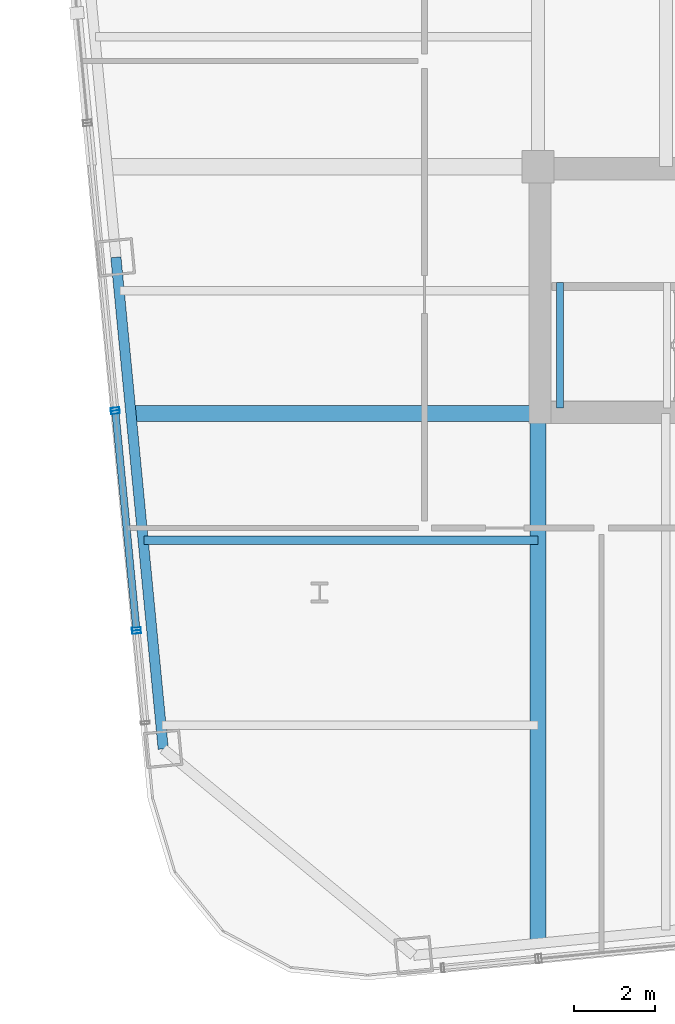
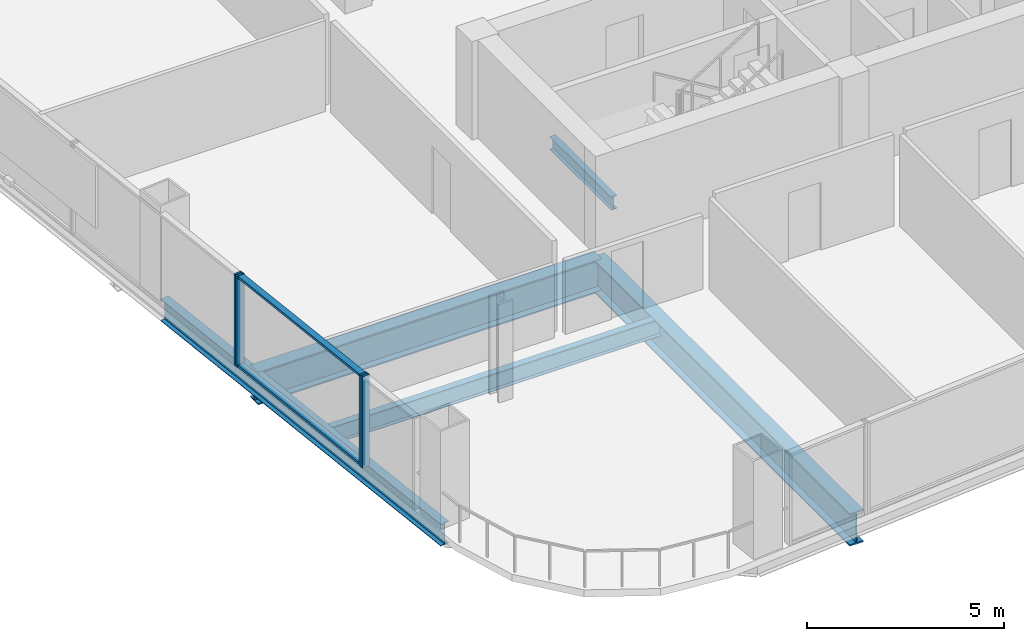
# One storey, part 3 of 27: 6 members, 5 beams, 3 elements without a shape of their own.
"""IFC4 building model written with IfcOpenShell, lengths in metres."""

import ifcopenshell
import ifcopenshell.guid

model = None  # the IFC model being written
_history = None  # IfcOwnerHistory: only IFC2X3 demands one
_inside = {}  # id of a spatial element -> (the spatial element, [elements in it])
_under = {}  # id of a project, library or spatial element -> (it, [spatial elements below it])
_declared = {}  # id of a project -> (the project, [libraries it declares])
_typed = {}  # id of a type object -> (the type object, [elements of that type])
_made_of = {}  # id of a material, layer set ... -> (it, [elements and type objects made of it])


def new_model(schema):
    """Start an empty IFC model of exactly this schema.

    Asked for "IFC4X3", IfcOpenShell would pick the latest addendum, in which some entities
    have other attributes; the version numbers below select the first issue.
    IFC2X3 requires an IfcOwnerHistory on every rooted entity: one is made here for all.
    """
    global model, _history
    if schema == "IFC4X3":
        model = ifcopenshell.file(schema_version=(4, 3, 0, 0))
    else:
        model = ifcopenshell.file(schema=schema)
    _inside.clear()
    _under.clear()
    _declared.clear()
    _typed.clear()
    _made_of.clear()
    _history = None
    if model.schema == "IFC2X3":
        org = make("IfcOrganization", Name="unknown")
        user = make(
            "IfcPersonAndOrganization",
            ThePerson=make("IfcPerson", FamilyName="unknown"),
            TheOrganization=org,
        )
        app = make(
            "IfcApplication",
            ApplicationDeveloper=org,
            Version="unknown",
            ApplicationFullName="unknown",
            ApplicationIdentifier="unknown",
        )
        _history = make(
            "IfcOwnerHistory",
            OwningUser=user,
            OwningApplication=app,
            ChangeAction="ADDED",
            CreationDate=0,
        )
    return model


def make(cls, **values):
    """One entity of the class cls with the attributes given. An attribute that is None is left unset."""
    return model.create_entity(
        cls, **{name: value for name, value in values.items() if value is not None}
    )


def rooted(cls, **values):
    """An entity with a GlobalId (a new one), such as an element, a storey or a relation."""
    return make(cls, GlobalId=ifcopenshell.guid.new(), OwnerHistory=_history, **values)


def si_unit(unit_type, name, prefix=None):
    """IfcSIUnit, for example si_unit("LENGTHUNIT", "METRE", prefix="MILLI")."""
    return make("IfcSIUnit", UnitType=unit_type, Prefix=prefix, Name=name)


def assignment(units):
    """IfcUnitAssignment: the units of a project."""
    return None if units is None else make("IfcUnitAssignment", Units=units)


def point(xyz):
    """IfcCartesianPoint."""
    return None if xyz is None else make("IfcCartesianPoint", Coordinates=xyz)


def direction(xyz):
    """IfcDirection."""
    return None if xyz is None else make("IfcDirection", DirectionRatios=xyz)


def frame(location, z_axis=None, x_axis=None):
    """IfcAxis2Placement3D, a coordinate frame: its origin and axes. An axis left out is left unset."""
    return make(
        "IfcAxis2Placement3D",
        Location=point(location),
        Axis=direction(z_axis),
        RefDirection=direction(x_axis),
    )


def frame_2d(location, x_axis=None):
    """IfcAxis2Placement2D, a coordinate frame in the plane: its origin and x axis."""
    return make(
        "IfcAxis2Placement2D", Location=point(location), RefDirection=direction(x_axis)
    )


def origin():
    """The frame at (0, 0, 0) with its axes left unset."""
    return frame((0.0, 0.0, 0.0))


def origin_2d():
    """The frame at (0, 0) in the plane with its x axis left unset."""
    return frame_2d((0.0, 0.0))


def place(relative_to, where):
    """IfcLocalPlacement: puts the frame where relative to a parent placement (None: the world)."""
    return make(
        "IfcLocalPlacement", PlacementRelTo=relative_to, RelativePlacement=where
    )


def context(
    kind, dimensions, precision=None, world=None, true_north=None, identifier=None
):
    """IfcGeometricRepresentationContext, for example the 3D "Model" context."""
    return make(
        "IfcGeometricRepresentationContext",
        ContextIdentifier=identifier,
        ContextType=kind,
        CoordinateSpaceDimension=dimensions,
        Precision=precision,
        WorldCoordinateSystem=world,
        TrueNorth=true_north,
    )


def subcontext(parent, identifier, kind, view, scale=None):
    """IfcGeometricRepresentationSubContext, for example "Body" below "Model"."""
    return make(
        "IfcGeometricRepresentationSubContext",
        ContextIdentifier=identifier,
        ContextType=kind,
        ParentContext=parent,
        TargetScale=scale,
        TargetView=view,
    )


def project(units=None, contexts=None):
    """IfcProject with its units and contexts."""
    return rooted(
        "IfcProject",
        Name="project",
        RepresentationContexts=contexts,
        UnitsInContext=assignment(units),
    )


def spatial(cls, under=None, at=None, **own):
    """A site, building, storey or space (cls), placed at a placement, below another one or the project."""
    s = rooted(cls, ObjectPlacement=at, **own)
    if under is not None:
        _under.setdefault(under.id(), (under, []))[1].append(s)
    return s


def profile(cls, at=None, kind="AREA", **sizes):
    """A parametric profile (cls). Its sizes go by their IFC names, for example OverallWidth=200.0."""
    return make(cls, ProfileType=kind, Position=at, **sizes)


def hollow_rectangle(**sizes):
    """IfcRectangleHollowProfileDef."""
    return profile("IfcRectangleHollowProfileDef", **sizes)


def i_section(**sizes):
    """IfcIShapeProfileDef."""
    return profile("IfcIShapeProfileDef", **sizes)


def extrude(swept, where, along, depth):
    """IfcExtrudedAreaSolid: the profile swept, set in the frame where, extruded along a direction by depth."""
    return make(
        "IfcExtrudedAreaSolid",
        SweptArea=swept,
        Position=where,
        ExtrudedDirection=direction(along),
        Depth=depth,
    )


def shape(context_of_items, identifier, shape_type, items):
    """IfcShapeRepresentation: the items that make up one representation, for example the "Body"."""
    return make(
        "IfcShapeRepresentation",
        ContextOfItems=context_of_items,
        RepresentationIdentifier=identifier,
        RepresentationType=shape_type,
        Items=items,
    )


def material(Name=None, Category=None):
    """IfcMaterial."""
    return make("IfcMaterial", Name=Name, Category=Category)


def layer(
    of_material, thickness, ventilated=None, Name=None, Category=None, Priority=None
):
    """IfcMaterialLayer: one layer of a wall or slab, of a material (None: an air gap)."""
    return make(
        "IfcMaterialLayer",
        Material=of_material,
        LayerThickness=thickness,
        IsVentilated=ventilated,
        Name=Name,
        Category=Category,
        Priority=Priority,
    )


def layer_set(layers, Name=None):
    """IfcMaterialLayerSet."""
    return make("IfcMaterialLayerSet", MaterialLayers=layers, LayerSetName=Name)


def material_profile(
    of_material, cross_section, Name=None, Category=None, Priority=None
):
    """IfcMaterialProfile: a cross section and its material."""
    return make(
        "IfcMaterialProfile",
        Name=Name,
        Material=of_material,
        Profile=cross_section,
        Priority=Priority,
        Category=Category,
    )


def profile_set(profiles, Name=None, composite=None):
    """IfcMaterialProfileSet."""
    return make(
        "IfcMaterialProfileSet",
        Name=Name,
        MaterialProfiles=profiles,
        CompositeProfile=composite,
    )


def made_of(thing, what):
    """Note that an element or type object is made of a material, layer set ...; save() writes the relation."""
    if what is not None:
        _made_of.setdefault(what.id(), (what, []))[1].append(thing)
    return thing


def type_object(cls, material=None, **own):
    """A type object (cls), such as IfcWallType, which elements share."""
    return made_of(rooted(cls, **own), material)


def element(
    cls,
    number,
    at=None,
    inside=None,
    cuts=None,
    type_object=None,
    material=None,
    context=None,
    identifier="Body",
    shape_type=None,
    held_by="IfcProductDefinitionShape",
    body=None,
    shapes=None,
    **own,
):
    """One element of the class cls, such as IfcWall. Its Tag is "e" and its number.

    at: its placement. inside: the storey or other place that contains it. cuts: it is an
    opening in that element (IfcRelVoidsElement). A single representation is given by context,
    identifier, shape_type and body (its items); several are given by shapes. held_by: the class
    of the entity that holds the representations. save() writes the other relations.
    """
    e = rooted(cls, Tag="e%d" % number, ObjectPlacement=at, **own)
    if body is not None:
        shapes = [shape(context, identifier, shape_type, body)]
    if shapes is not None:
        e.Representation = make(held_by, Representations=shapes)
    if inside is not None:
        _inside.setdefault(inside.id(), (inside, []))[1].append(e)
    if cuts is not None:
        rooted(
            "IfcRelVoidsElement", RelatingBuildingElement=cuts, RelatedOpeningElement=e
        )
    if type_object is not None:
        _typed.setdefault(type_object.id(), (type_object, []))[1].append(e)
    return made_of(e, material)


def aggregate(whole, parts):
    """IfcRelAggregates: a whole, such as a stair, and the parts it consists of."""
    return rooted("IfcRelAggregates", RelatingObject=whole, RelatedObjects=parts)


def save(model, path):
    """Write the relations noted so far, then the file.

    IfcRelAggregates (storeys below a building ...), IfcRelContainedInSpatialStructure (elements
    in a storey), IfcRelDefinesByType, IfcRelAssociatesMaterial and IfcRelDeclares: one each for
    every whole, place, type object, material and project.
    """
    for whole, parts in _under.values():
        aggregate(whole, parts)
    for where, things in _inside.values():
        rooted(
            "IfcRelContainedInSpatialStructure",
            RelatedElements=things,
            RelatingStructure=where,
        )
    for kind, things in _typed.values():
        rooted("IfcRelDefinesByType", RelatedObjects=things, RelatingType=kind)
    for what, things in _made_of.values():
        rooted("IfcRelAssociatesMaterial", RelatedObjects=things, RelatingMaterial=what)
    for by, libraries in _declared.values():
        rooted("IfcRelDeclares", RelatingContext=by, RelatedDefinitions=libraries)
    model.write(path)


model = new_model("IFC4")

# Units and contexts
model_context = context("Model", 3, precision=1e-05, world=origin(), true_north=direction((0.0, 1.0)))
body_context = subcontext(model_context, "Body", "Model", "MODEL_VIEW")
ifc_project = project(units=[si_unit("LENGTHUNIT", "METRE"), si_unit("AREAUNIT", "SQUARE_METRE"), si_unit("VOLUMEUNIT", "CUBIC_METRE"), si_unit("PLANEANGLEUNIT", "RADIAN"), si_unit("MASSUNIT", "GRAM", prefix="KILO")], contexts=[model_context])

# Site, building, storey
site_placement = place(None, origin())
site = spatial("IfcSite", under=ifc_project, at=site_placement, CompositionType="ELEMENT")
building_placement = place(site_placement, origin())
building = spatial("IfcBuilding", under=site, at=building_placement, Name="Qhalaya Broadcast Tower", CompositionType="ELEMENT")
storey_placement = place(building_placement, frame((0.0, 0.0, 84.699951171875)))
storey = spatial("IfcBuildingStorey", under=building, at=storey_placement, Name="L24", CompositionType="ELEMENT", Elevation=84.699951171875)

# Beams
ifc_material_1 = material(Name="Structural Steel ASTM A992 Grade 50", Category="steel")
ifc_material_profile_1 = material_profile(ifc_material_1, i_section(OverallWidth=0.2099609375, OverallDepth=0.535888671875, WebThickness=0.010986328125, FlangeThickness=0.017333984375, at=origin_2d()), Name="W21X68")
ifc_profile_set_1 = profile_set([ifc_material_profile_1], Name="Structural Steel ASTM A992 Grade 50")
beam_type_1 = type_object("IfcBeamType", Name="Composite Floor Joist J02", PredefinedType="JOIST", material=ifc_profile_set_1)
beam_1_placement = place(storey_placement, frame((-19.164794921875, -11.89990234375, -0.488037109375), z_axis=(1.0, 0.0, 0.0), x_axis=(0.0, 1.0, 0.0)))
element("IfcBeam", 1, at=beam_1_placement, inside=storey, type_object=beam_type_1, Name="L24 J02 L24-JWE2W-1", PredefinedType="JOIST", context=body_context, shape_type="SweptSolid", body=[
    extrude(i_section(OverallWidth=0.2099609375, OverallDepth=0.535888671875, WebThickness=0.010986328125, FlangeThickness=0.017333984375, at=origin_2d()), origin(), (0.0, 0.0, 1.0), 9.789794921875),
])
ifc_material_profile_2 = material_profile(ifc_material_1, i_section(OverallWidth=0.40087890625, OverallDepth=1.010986328125, WebThickness=0.023681640625, FlangeThickness=0.0419921875, at=origin_2d()), Name="W40X297")
ifc_profile_set_2 = profile_set([ifc_material_profile_2], Name="Structural Steel ASTM A992 Grade 50")
beam_type_2 = type_object("IfcBeamType", Name="Lower Block Primary Girder PG2", PredefinedType="USERDEFINED", material=ifc_profile_set_2)
beam_2_placement = place(storey_placement, frame((-9.375, -21.89501953125, -0.725341796875), z_axis=(0.0, 1.0, 0.0), x_axis=(-1.0, 0.0, 0.0)))
element("IfcBeam", 2, at=beam_2_placement, inside=storey, type_object=beam_type_2, Name="L24 PG2 L24-PGXS1-1", ObjectType="GIRDER", PredefinedType="USERDEFINED", context=body_context, shape_type="SweptSolid", body=[
    extrude(i_section(OverallWidth=0.40087890625, OverallDepth=1.010986328125, WebThickness=0.023681640625, FlangeThickness=0.0419921875, at=origin_2d()), origin(), (0.0, 0.0, 1.0), 13.14501953125),
])
beam_3_placement = place(storey_placement, frame((-19.468017578125, -8.75, -0.725341796875), z_axis=(1.0, 0.0, 0.0), x_axis=(0.0, 1.0, 0.0)))
element("IfcBeam", 3, at=beam_3_placement, inside=storey, type_object=beam_type_2, Name="L24 PG2 L24-PGYW1-1", ObjectType="GIRDER", PredefinedType="USERDEFINED", context=body_context, shape_type="SweptSolid", body=[
    extrude(i_section(OverallWidth=0.40087890625, OverallDepth=1.010986328125, WebThickness=0.023681640625, FlangeThickness=0.0419921875, at=origin_2d()), origin(), (0.0, 0.0, 1.0), 10.093017578125),
])
ifc_material_profile_3 = material_profile(ifc_material_1, i_section(OverallWidth=0.25390625, OverallDepth=0.68310546875, WebThickness=0.012451171875, FlangeThickness=0.01904296875, at=origin_2d()), Name="W27X94")
ifc_profile_set_3 = profile_set([ifc_material_profile_3], Name="Structural Steel ASTM A992 Grade 50")
beam_type_3 = type_object("IfcBeamType", Name="Perimeter Ring Spandrel Beam SP1", PredefinedType="SPANDREL", material=ifc_profile_set_3)
beam_4_placement = place(storey_placement, frame((-19.861083984375, -4.875, -0.5615234375), z_axis=(0.095831866369, -0.995397535354, 0.0), x_axis=(0.995397535354, 0.095831866369, 0.0)))
element("IfcBeam", 4, at=beam_4_placement, inside=storey, type_object=beam_type_3, Name="L24 SP1 L24-SPR-15", PredefinedType="SPANDREL", context=body_context, shape_type="SweptSolid", body=[
    extrude(i_section(OverallWidth=0.25390625, OverallDepth=0.68310546875, WebThickness=0.012451171875, FlangeThickness=0.01904296875, at=origin_2d()), origin(), (0.0, 0.0, 1.0), 12.2666015625),
])

# Curtain wall, member
ifc_material_2 = material(Name="Fired Architectural Terracotta", Category="masonry")
ifc_layer_1 = layer(ifc_material_2, 0.219970703125, Name="Fired Architectural Terracotta")
ifc_layer_set_1 = layer_set([ifc_layer_1], Name="Fired Architectural Terracotta")
curtain_wall_type_1 = type_object("IfcCurtainWallType", Name="Block-Cap Unitised Terracotta Spandrel Wall CW-07", PredefinedType="NOTDEFINED", material=ifc_layer_set_1)
curtain_wall_1_placement = place(storey_placement, origin())
curtain_wall_1 = element("IfcCurtainWall", 5, at=curtain_wall_1_placement, inside=storey, type_object=curtain_wall_type_1, Name="L24 Unitised Curtain Wall L24-CW-W5", PredefinedType="NOTDEFINED")
ifc_material_3 = material(Name="Anodised Aluminium 6063-T6", Category="aluminium")
ifc_material_profile_4 = material_profile(ifc_material_3, hollow_rectangle(XDim=0.074951171875, YDim=0.219970703125, WallThickness=0.00390625, at=origin_2d()), Name="ALU-MUL 75x220x4")
ifc_profile_set_4 = profile_set([ifc_material_profile_4], Name="Anodised Aluminium 6063-T6")
member_type_1 = type_object("IfcMemberType", Name="Unitised Curtain-Wall Mullion M01", PredefinedType="MULLION", material=ifc_profile_set_4)
member_1_placement = place(storey_placement, frame((-19.879638671875, -8.647216796875, 0.0), z_axis=(0.0, 0.0, 1.0), x_axis=(0.095850652435, -0.995395726547, 0.0)))
member_1 = element("IfcMember", 6, at=member_1_placement, type_object=member_type_1, Name="CW-07 mullion 2", PredefinedType="MULLION", context=body_context, shape_type="SweptSolid", body=[
    extrude(hollow_rectangle(XDim=0.074951171875, YDim=0.219970703125, WallThickness=0.00390625, at=origin_2d()), origin(), (0.0, 0.0, 1.0), 2.830078125),
])
aggregate(curtain_wall_1, [member_1])

# Curtain wall, members
ifc_material_4 = material(Name="Solar-Control Low-E Triple Glazing", Category="glass")
ifc_layer_2 = layer(ifc_material_4, 0.219970703125, Name="Solar-Control Low-E Triple Glazing")
ifc_layer_set_2 = layer_set([ifc_layer_2], Name="Solar-Control Low-E Triple Glazing")
curtain_wall_type_2 = type_object("IfcCurtainWallType", Name="Even-Block 4-Storey Double-Module Curtain Wall CW-03", PredefinedType="NOTDEFINED", material=ifc_layer_set_2)
curtain_wall_2_placement = place(storey_placement, origin())
curtain_wall_2 = element("IfcCurtainWall", 7, at=curtain_wall_2_placement, inside=storey, type_object=curtain_wall_type_2, Name="L24 Unitised Curtain Wall L24-CW-W6", PredefinedType="NOTDEFINED")
member_2_placement = place(storey_placement, frame((-19.87255859375, -8.721923828125, 0.0), z_axis=(0.0, 0.0, 1.0), x_axis=(0.095844740112, -0.99539629585, 0.0)))
member_2 = element("IfcMember", 8, at=member_2_placement, type_object=member_type_1, Name="CW-03 mullion 1", PredefinedType="MULLION", context=body_context, shape_type="SweptSolid", body=[
    extrude(hollow_rectangle(XDim=0.074951171875, YDim=0.219970703125, WallThickness=0.00390625, at=origin_2d()), origin(), (0.0, 0.0, 1.0), 2.830078125),
])
member_3_placement = place(storey_placement, frame((-19.35400390625, -14.10791015625, 0.0), z_axis=(0.0, 0.0, 1.0), x_axis=(0.095844740112, -0.99539629585, 0.0)))
member_3 = element("IfcMember", 9, at=member_3_placement, type_object=member_type_1, Name="CW-03 mullion 2", PredefinedType="MULLION", context=body_context, shape_type="SweptSolid", body=[
    extrude(hollow_rectangle(XDim=0.074951171875, YDim=0.219970703125, WallThickness=0.00390625, at=origin_2d()), origin(), (0.0, 0.0, 1.0), 2.830078125),
])

# Curtain wall, member
curtain_wall_3_placement = place(storey_placement, origin())
curtain_wall_3 = element("IfcCurtainWall", 10, at=curtain_wall_3_placement, inside=storey, type_object=curtain_wall_type_1, Name="L24 Unitised Curtain Wall L24-CW-W7", PredefinedType="NOTDEFINED")
member_4_placement = place(storey_placement, frame((-19.3466796875, -14.1826171875, 0.0), z_axis=(0.0, 0.0, 1.0), x_axis=(0.09585164641, -0.995395630832, 0.0)))
member_4 = element("IfcMember", 11, at=member_4_placement, type_object=member_type_1, Name="CW-07 mullion 1", PredefinedType="MULLION", context=body_context, shape_type="SweptSolid", body=[
    extrude(hollow_rectangle(XDim=0.074951171875, YDim=0.219970703125, WallThickness=0.00390625, at=origin_2d()), origin(), (0.0, 0.0, 1.0), 2.830078125),
])
aggregate(curtain_wall_3, [member_4])

# Member
ifc_material_profile_5 = material_profile(ifc_material_3, hollow_rectangle(XDim=0.074951171875, YDim=0.179931640625, WallThickness=0.00390625, at=origin_2d()), Name="ALU-TRN 75x180x4")
ifc_profile_set_5 = profile_set([ifc_material_profile_5], Name="Anodised Aluminium 6063-T6")
member_type_2 = type_object("IfcMemberType", Name="Unitised Curtain-Wall Transom T01", PredefinedType="USERDEFINED", material=ifc_profile_set_5)
member_5_placement = place(storey_placement, frame((-19.868896484375, -8.75927734375, 0.03759765625), z_axis=(0.095856259068, -0.995395186646, 0.0), x_axis=(0.0, 0.0, 1.0)))
member_5 = element("IfcMember", 12, at=member_5_placement, type_object=member_type_2, Name="CW-03 transom 1.1", ObjectType="TRANSOM", PredefinedType="USERDEFINED", context=body_context, shape_type="SweptSolid", body=[
    extrude(hollow_rectangle(XDim=0.074951171875, YDim=0.179931640625, WallThickness=0.00390625, at=origin_2d()), origin(), (0.0, 0.0, 1.0), 5.3359375),
])

member_6_placement = place(storey_placement, frame((-19.868896484375, -8.75927734375, 2.79248046875), z_axis=(0.095856259068, -0.995395186646, 0.0), x_axis=(0.0, 0.0, 1.0)))
member_6 = element("IfcMember", 13, at=member_6_placement, type_object=member_type_2, Name="CW-03 transom 1.2", ObjectType="TRANSOM", PredefinedType="USERDEFINED", context=body_context, shape_type="SweptSolid", body=[
    extrude(hollow_rectangle(XDim=0.074951171875, YDim=0.179931640625, WallThickness=0.00390625, at=origin_2d()), origin(), (0.0, 0.0, 1.0), 5.3359375),
])

aggregate(curtain_wall_2, [member_2, member_3, member_5, member_6])

# Beam
ifc_material_profile_6 = material_profile(ifc_material_1, i_section(OverallWidth=0.177978515625, OverallDepth=0.406005859375, WebThickness=0.0078125, FlangeThickness=0.0126953125, at=origin_2d()), Name="W16X40")
ifc_profile_set_6 = profile_set([ifc_material_profile_6], Name="Structural Steel ASTM A992 Grade 50")
beam_type_4 = type_object("IfcBeamType", Name="Upper Perimeter Spandrel Beam SP2", PredefinedType="SPANDREL", material=ifc_profile_set_6)
beam_5_placement = place(storey_placement, frame((-8.830078125, -8.6201171875, 1.1220703125), z_axis=(0.0, 1.0, 0.0), x_axis=(-1.0, 0.0, 0.0)))
element("IfcBeam", 14, at=beam_5_placement, inside=storey, type_object=beam_type_4, Name="L24 ST-2 Half-Landing Bearer Beam 1", PredefinedType="SPANDREL", context=body_context, shape_type="SweptSolid", body=[
    extrude(i_section(OverallWidth=0.177978515625, OverallDepth=0.406005859375, WebThickness=0.0078125, FlangeThickness=0.0126953125, at=origin_2d()), origin(), (0.0, 0.0, 1.0), 3.1201171875),
])

save(model, "model.ifc")
